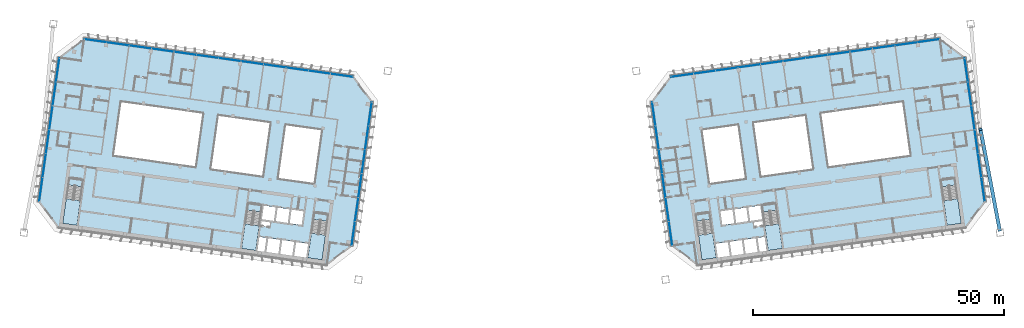
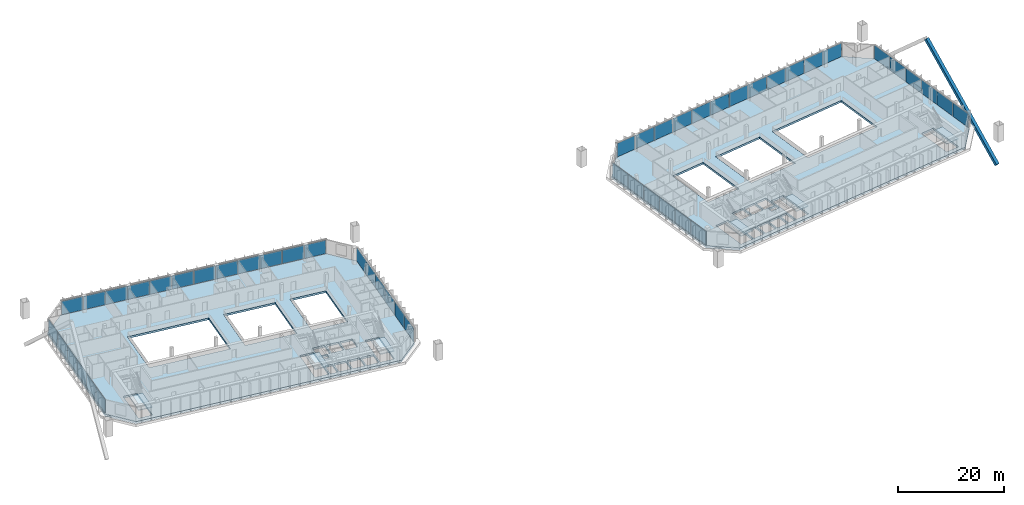
# One storey, part 15 of 28: 48 plates, 8 slabs, 1 member, 12 elements without a shape of their own.
"""IFC4 building model written with IfcOpenShell, lengths in metres."""

from ifc_helpers import new_model, si_unit, direction, frame, origin, origin_2d, place, context, subcontext, project, spatial, polyline, rectangle, hollow_rectangle, outline, extrude, material, layer, layer_set, material_profile, profile_set, type_object, element, aggregate, save


model = new_model("IFC4")

# Units and contexts
model_context = context("Model", 3, precision=1e-05, world=origin(), true_north=direction((0.0, 1.0)))
body_context = subcontext(model_context, "Body", "Model", "MODEL_VIEW")
ifc_project = project(units=[si_unit("LENGTHUNIT", "METRE"), si_unit("AREAUNIT", "SQUARE_METRE"), si_unit("VOLUMEUNIT", "CUBIC_METRE"), si_unit("PLANEANGLEUNIT", "RADIAN"), si_unit("MASSUNIT", "GRAM", prefix="KILO")], contexts=[model_context])

# Site, building, storey
site_placement = place(None, origin())
site = spatial("IfcSite", under=ifc_project, at=site_placement, CompositionType="ELEMENT")
building_placement = place(site_placement, origin())
building = spatial("IfcBuilding", under=site, at=building_placement, Name="Mirante Cascada Hotel Towers", CompositionType="ELEMENT")
storey_placement = place(building_placement, frame((0.0, 0.0, 165.0)))
storey = spatial("IfcBuildingStorey", under=building, at=storey_placement, Name="L38", CompositionType="ELEMENT", Elevation=165.0)

# Member
ifc_material_1 = material(Name="Steel ASTM A572 Gr 50", Category="steel")
ifc_material_profile = material_profile(ifc_material_1, hollow_rectangle(XDim=0.7, YDim=0.7, WallThickness=0.035, at=origin_2d()), Name="Box brace 700x700x35 ASTM A572 Gr 50")
ifc_profile_set = profile_set([ifc_material_profile], Name="Steel ASTM A572 Gr 50")
member_type = type_object("IfcMemberType", Name="Box brace 700x700x35 ASTM A572 Gr 50", PredefinedType="BRACE", material=ifc_profile_set)
member_placement = place(storey_placement, frame((97.2182, -13.2381, -6.0447), z_axis=(-0.1394637, 0.7317072, 0.667199), x_axis=(-0.9823161, -0.1872298, 0.0)))
element("IfcMember", 1, at=member_placement, inside=storey, type_object=member_type, Name="brace T2 L38 1", PredefinedType="BRACE", context=body_context, shape_type="SweptSolid", body=[
    extrude(hollow_rectangle(XDim=0.7, YDim=0.7, WallThickness=0.035, at=origin_2d()), origin(), (0.0, 0.0, 1.0), 27.4043),
])

# Curtain wall, plates
ifc_material_2 = material(Name="Aluminium mullion and transom frame with clear laminated glass", Category="aluminium")
curtain_wall_type_1 = type_object("IfcCurtainWallType", Name="Ribbon curtain wall ECW1", PredefinedType="NOTDEFINED", material=ifc_material_2)
curtain_wall_1_placement = place(storey_placement, origin())
curtain_wall_1 = element("IfcCurtainWall", 2, at=curtain_wall_1_placement, inside=storey, type_object=curtain_wall_type_1, Name="Front ribbon wall T1 L38", PredefinedType="NOTDEFINED")
ifc_material_3 = material(Name="Clear laminated glass", Category="glass")
ifc_layer_1 = layer(ifc_material_3, 0.036)
ifc_layer_set_1 = layer_set([ifc_layer_1], Name="ECW1 glass panel 36")
plate_type_1 = type_object("IfcPlateType", Name="ECW1 glass panel 36", PredefinedType="CURTAIN_PANEL", material=ifc_layer_set_1)
plate_1_placement = place(storey_placement, frame((-82.9983, 24.4837, 0.1), z_axis=(0.0, 0.0, 1.0), x_axis=(0.9902681, -0.1391731, 0.0)))
plate_1 = element("IfcPlate", 3, at=plate_1_placement, type_object=plate_type_1, Name="ECW1 panel 1", PredefinedType="CURTAIN_PANEL", context=body_context, shape_type="SweptSolid", body=[
    extrude(rectangle(XDim=4.409, YDim=0.036, at=origin_2d()), origin(), (0.0, 0.0, 1.0), 3.15),
])
plate_2_placement = place(storey_placement, frame((-78.5517, 23.8587, 0.1), z_axis=(0.0, 0.0, 1.0), x_axis=(0.9902681, -0.1391731, 0.0)))
plate_2 = element("IfcPlate", 4, at=plate_2_placement, type_object=plate_type_1, Name="ECW1 panel 2", PredefinedType="CURTAIN_PANEL", context=body_context, shape_type="SweptSolid", body=[
    extrude(rectangle(XDim=4.4415, YDim=0.036, at=origin_2d()), origin(), (0.0, 0.0, 1.0), 3.15),
])
plate_3_placement = place(storey_placement, frame((-74.089, 23.2316, 0.1), z_axis=(0.0, 0.0, 1.0), x_axis=(0.9902681, -0.1391731, 0.0)))
plate_3 = element("IfcPlate", 5, at=plate_3_placement, type_object=plate_type_1, Name="ECW1 panel 3", PredefinedType="CURTAIN_PANEL", context=body_context, shape_type="SweptSolid", body=[
    extrude(rectangle(XDim=4.4415, YDim=0.036, at=origin_2d()), origin(), (0.0, 0.0, 1.0), 3.15),
])
plate_4_placement = place(storey_placement, frame((-69.6263, 22.6044, 0.1), z_axis=(0.0, 0.0, 1.0), x_axis=(0.9902681, -0.1391731, 0.0)))
plate_4 = element("IfcPlate", 6, at=plate_4_placement, type_object=plate_type_1, Name="ECW1 panel 4", PredefinedType="CURTAIN_PANEL", context=body_context, shape_type="SweptSolid", body=[
    extrude(rectangle(XDim=4.4415, YDim=0.036, at=origin_2d()), origin(), (0.0, 0.0, 1.0), 3.15),
])
plate_5_placement = place(storey_placement, frame((-65.1636, 21.9772, 0.1), z_axis=(0.0, 0.0, 1.0), x_axis=(0.9902681, -0.1391731, 0.0)))
plate_5 = element("IfcPlate", 7, at=plate_5_placement, type_object=plate_type_1, Name="ECW1 panel 5", PredefinedType="CURTAIN_PANEL", context=body_context, shape_type="SweptSolid", body=[
    extrude(rectangle(XDim=4.4415, YDim=0.036, at=origin_2d()), origin(), (0.0, 0.0, 1.0), 3.15),
])
plate_6_placement = place(storey_placement, frame((-60.7009, 21.35, 0.1), z_axis=(0.0, 0.0, 1.0), x_axis=(0.9902681, -0.1391731, 0.0)))
plate_6 = element("IfcPlate", 8, at=plate_6_placement, type_object=plate_type_1, Name="ECW1 panel 6", PredefinedType="CURTAIN_PANEL", context=body_context, shape_type="SweptSolid", body=[
    extrude(rectangle(XDim=4.4415, YDim=0.036, at=origin_2d()), origin(), (0.0, 0.0, 1.0), 3.15),
])
plate_7_placement = place(storey_placement, frame((-56.2383, 20.7228, 0.1), z_axis=(0.0, 0.0, 1.0), x_axis=(0.9902681, -0.1391731, 0.0)))
plate_7 = element("IfcPlate", 9, at=plate_7_placement, type_object=plate_type_1, Name="ECW1 panel 7", PredefinedType="CURTAIN_PANEL", context=body_context, shape_type="SweptSolid", body=[
    extrude(rectangle(XDim=4.4415, YDim=0.036, at=origin_2d()), origin(), (0.0, 0.0, 1.0), 3.15),
])
plate_8_placement = place(storey_placement, frame((-51.7756, 20.0956, 0.1), z_axis=(0.0, 0.0, 1.0), x_axis=(0.9902681, -0.1391731, 0.0)))
plate_8 = element("IfcPlate", 10, at=plate_8_placement, type_object=plate_type_1, Name="ECW1 panel 8", PredefinedType="CURTAIN_PANEL", context=body_context, shape_type="SweptSolid", body=[
    extrude(rectangle(XDim=4.4415, YDim=0.036, at=origin_2d()), origin(), (0.0, 0.0, 1.0), 3.15),
])
plate_9_placement = place(storey_placement, frame((-47.3129, 19.4684, 0.1), z_axis=(0.0, 0.0, 1.0), x_axis=(0.9902681, -0.1391731, 0.0)))
plate_9 = element("IfcPlate", 11, at=plate_9_placement, type_object=plate_type_1, Name="ECW1 panel 9", PredefinedType="CURTAIN_PANEL", context=body_context, shape_type="SweptSolid", body=[
    extrude(rectangle(XDim=4.4415, YDim=0.036, at=origin_2d()), origin(), (0.0, 0.0, 1.0), 3.15),
])
plate_10_placement = place(storey_placement, frame((-42.8502, 18.8412, 0.1), z_axis=(0.0, 0.0, 1.0), x_axis=(0.9902681, -0.1391731, 0.0)))
plate_10 = element("IfcPlate", 12, at=plate_10_placement, type_object=plate_type_1, Name="ECW1 panel 10", PredefinedType="CURTAIN_PANEL", context=body_context, shape_type="SweptSolid", body=[
    extrude(rectangle(XDim=4.4415, YDim=0.036, at=origin_2d()), origin(), (0.0, 0.0, 1.0), 3.15),
])
plate_11_placement = place(storey_placement, frame((-38.3875, 18.214, 0.1), z_axis=(0.0, 0.0, 1.0), x_axis=(0.9902681, -0.1391731, 0.0)))
plate_11 = element("IfcPlate", 13, at=plate_11_placement, type_object=plate_type_1, Name="ECW1 panel 11", PredefinedType="CURTAIN_PANEL", context=body_context, shape_type="SweptSolid", body=[
    extrude(rectangle(XDim=4.4415, YDim=0.036, at=origin_2d()), origin(), (0.0, 0.0, 1.0), 3.15),
])
plate_12_placement = place(storey_placement, frame((-33.9409, 17.5891, 0.1), z_axis=(0.0, 0.0, 1.0), x_axis=(0.9902681, -0.1391731, 0.0)))
plate_12 = element("IfcPlate", 14, at=plate_12_placement, type_object=plate_type_1, Name="ECW1 panel 12", PredefinedType="CURTAIN_PANEL", context=body_context, shape_type="SweptSolid", body=[
    extrude(rectangle(XDim=4.409, YDim=0.036, at=origin_2d()), origin(), (0.0, 0.0, 1.0), 3.15),
])
aggregate(curtain_wall_1, [plate_1, plate_2, plate_3, plate_4, plate_5, plate_6, plate_7, plate_8, plate_9, plate_10, plate_11, plate_12])

curtain_wall_2_placement = place(storey_placement, origin())
curtain_wall_2 = element("IfcCurtainWall", 15, at=curtain_wall_2_placement, inside=storey, type_object=curtain_wall_type_1, Name="Front ribbon wall T2 L38", PredefinedType="NOTDEFINED")
plate_13_placement = place(storey_placement, frame((82.9983, 24.4837, 0.1), z_axis=(0.0, 0.0, 1.0), x_axis=(-0.9902681, -0.1391731, 0.0)))
plate_13 = element("IfcPlate", 16, at=plate_13_placement, type_object=plate_type_1, Name="ECW1 panel 1", PredefinedType="CURTAIN_PANEL", context=body_context, shape_type="SweptSolid", body=[
    extrude(rectangle(XDim=4.409, YDim=0.036, at=origin_2d()), origin(), (0.0, 0.0, 1.0), 3.15),
])
plate_14_placement = place(storey_placement, frame((78.5517, 23.8587, 0.1), z_axis=(0.0, 0.0, 1.0), x_axis=(-0.9902681, -0.1391731, 0.0)))
plate_14 = element("IfcPlate", 17, at=plate_14_placement, type_object=plate_type_1, Name="ECW1 panel 2", PredefinedType="CURTAIN_PANEL", context=body_context, shape_type="SweptSolid", body=[
    extrude(rectangle(XDim=4.4415, YDim=0.036, at=origin_2d()), origin(), (0.0, 0.0, 1.0), 3.15),
])
plate_15_placement = place(storey_placement, frame((74.089, 23.2316, 0.1), z_axis=(0.0, 0.0, 1.0), x_axis=(-0.9902681, -0.1391731, 0.0)))
plate_15 = element("IfcPlate", 18, at=plate_15_placement, type_object=plate_type_1, Name="ECW1 panel 3", PredefinedType="CURTAIN_PANEL", context=body_context, shape_type="SweptSolid", body=[
    extrude(rectangle(XDim=4.4415, YDim=0.036, at=origin_2d()), origin(), (0.0, 0.0, 1.0), 3.15),
])
plate_16_placement = place(storey_placement, frame((69.6263, 22.6044, 0.1), z_axis=(0.0, 0.0, 1.0), x_axis=(-0.9902681, -0.1391731, 0.0)))
plate_16 = element("IfcPlate", 19, at=plate_16_placement, type_object=plate_type_1, Name="ECW1 panel 4", PredefinedType="CURTAIN_PANEL", context=body_context, shape_type="SweptSolid", body=[
    extrude(rectangle(XDim=4.4415, YDim=0.036, at=origin_2d()), origin(), (0.0, 0.0, 1.0), 3.15),
])
plate_17_placement = place(storey_placement, frame((65.1636, 21.9772, 0.1), z_axis=(0.0, 0.0, 1.0), x_axis=(-0.9902681, -0.1391731, 0.0)))
plate_17 = element("IfcPlate", 20, at=plate_17_placement, type_object=plate_type_1, Name="ECW1 panel 5", PredefinedType="CURTAIN_PANEL", context=body_context, shape_type="SweptSolid", body=[
    extrude(rectangle(XDim=4.4415, YDim=0.036, at=origin_2d()), origin(), (0.0, 0.0, 1.0), 3.15),
])
plate_18_placement = place(storey_placement, frame((60.7009, 21.35, 0.1), z_axis=(0.0, 0.0, 1.0), x_axis=(-0.9902681, -0.1391731, 0.0)))
plate_18 = element("IfcPlate", 21, at=plate_18_placement, type_object=plate_type_1, Name="ECW1 panel 6", PredefinedType="CURTAIN_PANEL", context=body_context, shape_type="SweptSolid", body=[
    extrude(rectangle(XDim=4.4415, YDim=0.036, at=origin_2d()), origin(), (0.0, 0.0, 1.0), 3.15),
])
plate_19_placement = place(storey_placement, frame((56.2383, 20.7228, 0.1), z_axis=(0.0, 0.0, 1.0), x_axis=(-0.9902681, -0.1391731, 0.0)))
plate_19 = element("IfcPlate", 22, at=plate_19_placement, type_object=plate_type_1, Name="ECW1 panel 7", PredefinedType="CURTAIN_PANEL", context=body_context, shape_type="SweptSolid", body=[
    extrude(rectangle(XDim=4.4415, YDim=0.036, at=origin_2d()), origin(), (0.0, 0.0, 1.0), 3.15),
])
plate_20_placement = place(storey_placement, frame((51.7756, 20.0956, 0.1), z_axis=(0.0, 0.0, 1.0), x_axis=(-0.9902681, -0.1391731, 0.0)))
plate_20 = element("IfcPlate", 23, at=plate_20_placement, type_object=plate_type_1, Name="ECW1 panel 8", PredefinedType="CURTAIN_PANEL", context=body_context, shape_type="SweptSolid", body=[
    extrude(rectangle(XDim=4.4415, YDim=0.036, at=origin_2d()), origin(), (0.0, 0.0, 1.0), 3.15),
])
plate_21_placement = place(storey_placement, frame((47.3129, 19.4684, 0.1), z_axis=(0.0, 0.0, 1.0), x_axis=(-0.9902681, -0.1391731, 0.0)))
plate_21 = element("IfcPlate", 24, at=plate_21_placement, type_object=plate_type_1, Name="ECW1 panel 9", PredefinedType="CURTAIN_PANEL", context=body_context, shape_type="SweptSolid", body=[
    extrude(rectangle(XDim=4.4415, YDim=0.036, at=origin_2d()), origin(), (0.0, 0.0, 1.0), 3.15),
])
plate_22_placement = place(storey_placement, frame((42.8502, 18.8412, 0.1), z_axis=(0.0, 0.0, 1.0), x_axis=(-0.9902681, -0.1391731, 0.0)))
plate_22 = element("IfcPlate", 25, at=plate_22_placement, type_object=plate_type_1, Name="ECW1 panel 10", PredefinedType="CURTAIN_PANEL", context=body_context, shape_type="SweptSolid", body=[
    extrude(rectangle(XDim=4.4415, YDim=0.036, at=origin_2d()), origin(), (0.0, 0.0, 1.0), 3.15),
])
plate_23_placement = place(storey_placement, frame((38.3875, 18.214, 0.1), z_axis=(0.0, 0.0, 1.0), x_axis=(-0.9902681, -0.1391731, 0.0)))
plate_23 = element("IfcPlate", 26, at=plate_23_placement, type_object=plate_type_1, Name="ECW1 panel 11", PredefinedType="CURTAIN_PANEL", context=body_context, shape_type="SweptSolid", body=[
    extrude(rectangle(XDim=4.4415, YDim=0.036, at=origin_2d()), origin(), (0.0, 0.0, 1.0), 3.15),
])
plate_24_placement = place(storey_placement, frame((33.9409, 17.5891, 0.1), z_axis=(0.0, 0.0, 1.0), x_axis=(-0.9902681, -0.1391731, 0.0)))
plate_24 = element("IfcPlate", 27, at=plate_24_placement, type_object=plate_type_1, Name="ECW1 panel 12", PredefinedType="CURTAIN_PANEL", context=body_context, shape_type="SweptSolid", body=[
    extrude(rectangle(XDim=4.409, YDim=0.036, at=origin_2d()), origin(), (0.0, 0.0, 1.0), 3.15),
])
aggregate(curtain_wall_2, [plate_13, plate_14, plate_15, plate_16, plate_17, plate_18, plate_19, plate_20, plate_21, plate_22, plate_23, plate_24])

ifc_material_4 = material(Name="Aluminium mullion and transom frame with clear laminated glass", Category="aluminium")
curtain_wall_type_2 = type_object("IfcCurtainWallType", Name="End ribbon curtain wall ECW2", PredefinedType="NOTDEFINED", material=ifc_material_4)
curtain_wall_3_placement = place(storey_placement, origin())
curtain_wall_3 = element("IfcCurtainWall", 28, at=curtain_wall_3_placement, inside=storey, type_object=curtain_wall_type_2, Name="Inner end wall T1 L38", PredefinedType="NOTDEFINED")
ifc_material_5 = material(Name="Clear laminated glass", Category="glass")
ifc_layer_2 = layer(ifc_material_5, 0.034)
ifc_layer_set_2 = layer_set([ifc_layer_2], Name="ECW2 glass panel 34")
plate_type_2 = type_object("IfcPlateType", Name="ECW2 glass panel 34", PredefinedType="CURTAIN_PANEL", material=ifc_layer_set_2)
plate_25_placement = place(storey_placement, frame((-28.2755, 9.891, 0.1), z_axis=(0.0, 0.0, 1.0), x_axis=(-0.1391731, -0.9902681, 0.0)))
plate_25 = element("IfcPlate", 29, at=plate_25_placement, type_object=plate_type_2, Name="ECW2 panel 1", PredefinedType="CURTAIN_PANEL", context=body_context, shape_type="SweptSolid", body=[
    extrude(rectangle(XDim=4.7151, YDim=0.034, at=origin_2d()), origin(), (0.0, 0.0, 1.0), 3.15),
])
plate_26_placement = place(storey_placement, frame((-28.943, 5.1413, 0.1), z_axis=(0.0, 0.0, 1.0), x_axis=(-0.1391731, -0.9902681, 0.0)))
plate_26 = element("IfcPlate", 30, at=plate_26_placement, type_object=plate_type_2, Name="ECW2 panel 2", PredefinedType="CURTAIN_PANEL", context=body_context, shape_type="SweptSolid", body=[
    extrude(rectangle(XDim=4.7476, YDim=0.034, at=origin_2d()), origin(), (0.0, 0.0, 1.0), 3.15),
])
plate_27_placement = place(storey_placement, frame((-29.6128, 0.3755, 0.1), z_axis=(0.0, 0.0, 1.0), x_axis=(-0.1391731, -0.9902681, 0.0)))
plate_27 = element("IfcPlate", 31, at=plate_27_placement, type_object=plate_type_2, Name="ECW2 panel 3", PredefinedType="CURTAIN_PANEL", context=body_context, shape_type="SweptSolid", body=[
    extrude(rectangle(XDim=4.7476, YDim=0.034, at=origin_2d()), origin(), (0.0, 0.0, 1.0), 3.15),
])
plate_28_placement = place(storey_placement, frame((-30.2826, -4.3902, 0.1), z_axis=(0.0, 0.0, 1.0), x_axis=(-0.1391731, -0.9902681, 0.0)))
plate_28 = element("IfcPlate", 32, at=plate_28_placement, type_object=plate_type_2, Name="ECW2 panel 4", PredefinedType="CURTAIN_PANEL", context=body_context, shape_type="SweptSolid", body=[
    extrude(rectangle(XDim=4.7476, YDim=0.034, at=origin_2d()), origin(), (0.0, 0.0, 1.0), 3.15),
])
plate_29_placement = place(storey_placement, frame((-30.9524, -9.156, 0.1), z_axis=(0.0, 0.0, 1.0), x_axis=(-0.1391731, -0.9902681, 0.0)))
plate_29 = element("IfcPlate", 33, at=plate_29_placement, type_object=plate_type_2, Name="ECW2 panel 5", PredefinedType="CURTAIN_PANEL", context=body_context, shape_type="SweptSolid", body=[
    extrude(rectangle(XDim=4.7476, YDim=0.034, at=origin_2d()), origin(), (0.0, 0.0, 1.0), 3.15),
])
plate_30_placement = place(storey_placement, frame((-31.6199, -13.9057, 0.1), z_axis=(0.0, 0.0, 1.0), x_axis=(-0.1391731, -0.9902681, 0.0)))
plate_30 = element("IfcPlate", 34, at=plate_30_placement, type_object=plate_type_2, Name="ECW2 panel 6", PredefinedType="CURTAIN_PANEL", context=body_context, shape_type="SweptSolid", body=[
    extrude(rectangle(XDim=4.7151, YDim=0.034, at=origin_2d()), origin(), (0.0, 0.0, 1.0), 3.15),
])
aggregate(curtain_wall_3, [plate_25, plate_26, plate_27, plate_28, plate_29, plate_30])

curtain_wall_4_placement = place(storey_placement, origin())
curtain_wall_4 = element("IfcCurtainWall", 35, at=curtain_wall_4_placement, inside=storey, type_object=curtain_wall_type_2, Name="Outer end wall T1 L38", PredefinedType="NOTDEFINED")
plate_31_placement = place(storey_placement, frame((-93.243, -0.4017, 0.1), z_axis=(0.0, 0.0, 1.0), x_axis=(0.1391731, 0.9902681, 0.0)))
plate_31 = element("IfcPlate", 36, at=plate_31_placement, type_object=plate_type_2, Name="ECW2 panel 2", PredefinedType="CURTAIN_PANEL", context=body_context, shape_type="SweptSolid", body=[
    extrude(rectangle(XDim=4.7476, YDim=0.034, at=origin_2d()), origin(), (0.0, 0.0, 1.0), 3.15),
])
plate_32_placement = place(storey_placement, frame((-92.5732, 4.3641, 0.1), z_axis=(0.0, 0.0, 1.0), x_axis=(0.1391731, 0.9902681, 0.0)))
plate_32 = element("IfcPlate", 37, at=plate_32_placement, type_object=plate_type_2, Name="ECW2 panel 3", PredefinedType="CURTAIN_PANEL", context=body_context, shape_type="SweptSolid", body=[
    extrude(rectangle(XDim=4.7476, YDim=0.034, at=origin_2d()), origin(), (0.0, 0.0, 1.0), 3.15),
])
plate_33_placement = place(storey_placement, frame((-91.9035, 9.1299, 0.1), z_axis=(0.0, 0.0, 1.0), x_axis=(0.1391731, 0.9902681, 0.0)))
plate_33 = element("IfcPlate", 38, at=plate_33_placement, type_object=plate_type_2, Name="ECW2 panel 4", PredefinedType="CURTAIN_PANEL", context=body_context, shape_type="SweptSolid", body=[
    extrude(rectangle(XDim=4.7476, YDim=0.034, at=origin_2d()), origin(), (0.0, 0.0, 1.0), 3.15),
])
plate_34_placement = place(storey_placement, frame((-91.2337, 13.8957, 0.1), z_axis=(0.0, 0.0, 1.0), x_axis=(0.1391731, 0.9902681, 0.0)))
plate_34 = element("IfcPlate", 39, at=plate_34_placement, type_object=plate_type_2, Name="ECW2 panel 5", PredefinedType="CURTAIN_PANEL", context=body_context, shape_type="SweptSolid", body=[
    extrude(rectangle(XDim=4.7476, YDim=0.034, at=origin_2d()), origin(), (0.0, 0.0, 1.0), 3.15),
])

curtain_wall_5_placement = place(storey_placement, origin())
curtain_wall_5 = element("IfcCurtainWall", 40, at=curtain_wall_5_placement, inside=storey, type_object=curtain_wall_type_2, Name="Inner end wall T2 L38", PredefinedType="NOTDEFINED")
plate_35_placement = place(storey_placement, frame((28.2755, 9.891, 0.1), z_axis=(0.0, 0.0, 1.0), x_axis=(0.1391731, -0.9902681, 0.0)))
plate_35 = element("IfcPlate", 41, at=plate_35_placement, type_object=plate_type_2, Name="ECW2 panel 1", PredefinedType="CURTAIN_PANEL", context=body_context, shape_type="SweptSolid", body=[
    extrude(rectangle(XDim=4.7151, YDim=0.034, at=origin_2d()), origin(), (0.0, 0.0, 1.0), 3.15),
])
plate_36_placement = place(storey_placement, frame((28.943, 5.1413, 0.1), z_axis=(0.0, 0.0, 1.0), x_axis=(0.1391731, -0.9902681, 0.0)))
plate_36 = element("IfcPlate", 42, at=plate_36_placement, type_object=plate_type_2, Name="ECW2 panel 2", PredefinedType="CURTAIN_PANEL", context=body_context, shape_type="SweptSolid", body=[
    extrude(rectangle(XDim=4.7476, YDim=0.034, at=origin_2d()), origin(), (0.0, 0.0, 1.0), 3.15),
])
plate_37_placement = place(storey_placement, frame((29.6128, 0.3755, 0.1), z_axis=(0.0, 0.0, 1.0), x_axis=(0.1391731, -0.9902681, 0.0)))
plate_37 = element("IfcPlate", 43, at=plate_37_placement, type_object=plate_type_2, Name="ECW2 panel 3", PredefinedType="CURTAIN_PANEL", context=body_context, shape_type="SweptSolid", body=[
    extrude(rectangle(XDim=4.7476, YDim=0.034, at=origin_2d()), origin(), (0.0, 0.0, 1.0), 3.15),
])
plate_38_placement = place(storey_placement, frame((30.2826, -4.3902, 0.1), z_axis=(0.0, 0.0, 1.0), x_axis=(0.1391731, -0.9902681, 0.0)))
plate_38 = element("IfcPlate", 44, at=plate_38_placement, type_object=plate_type_2, Name="ECW2 panel 4", PredefinedType="CURTAIN_PANEL", context=body_context, shape_type="SweptSolid", body=[
    extrude(rectangle(XDim=4.7476, YDim=0.034, at=origin_2d()), origin(), (0.0, 0.0, 1.0), 3.15),
])
plate_39_placement = place(storey_placement, frame((30.9524, -9.156, 0.1), z_axis=(0.0, 0.0, 1.0), x_axis=(0.1391731, -0.9902681, 0.0)))
plate_39 = element("IfcPlate", 45, at=plate_39_placement, type_object=plate_type_2, Name="ECW2 panel 5", PredefinedType="CURTAIN_PANEL", context=body_context, shape_type="SweptSolid", body=[
    extrude(rectangle(XDim=4.7476, YDim=0.034, at=origin_2d()), origin(), (0.0, 0.0, 1.0), 3.15),
])
plate_40_placement = place(storey_placement, frame((31.6199, -13.9057, 0.1), z_axis=(0.0, 0.0, 1.0), x_axis=(0.1391731, -0.9902681, 0.0)))
plate_40 = element("IfcPlate", 46, at=plate_40_placement, type_object=plate_type_2, Name="ECW2 panel 6", PredefinedType="CURTAIN_PANEL", context=body_context, shape_type="SweptSolid", body=[
    extrude(rectangle(XDim=4.7151, YDim=0.034, at=origin_2d()), origin(), (0.0, 0.0, 1.0), 3.15),
])
aggregate(curtain_wall_5, [plate_35, plate_36, plate_37, plate_38, plate_39, plate_40])

curtain_wall_6_placement = place(storey_placement, origin())
curtain_wall_6 = element("IfcCurtainWall", 47, at=curtain_wall_6_placement, inside=storey, type_object=curtain_wall_type_2, Name="Outer end wall T2 L38", PredefinedType="NOTDEFINED")
plate_41_placement = place(storey_placement, frame((93.243, -0.4017, 0.1), z_axis=(0.0, 0.0, 1.0), x_axis=(-0.1391731, 0.9902681, 0.0)))
plate_41 = element("IfcPlate", 48, at=plate_41_placement, type_object=plate_type_2, Name="ECW2 panel 2", PredefinedType="CURTAIN_PANEL", context=body_context, shape_type="SweptSolid", body=[
    extrude(rectangle(XDim=4.7476, YDim=0.034, at=origin_2d()), origin(), (0.0, 0.0, 1.0), 3.15),
])
plate_42_placement = place(storey_placement, frame((92.5732, 4.3641, 0.1), z_axis=(0.0, 0.0, 1.0), x_axis=(-0.1391731, 0.9902681, 0.0)))
plate_42 = element("IfcPlate", 49, at=plate_42_placement, type_object=plate_type_2, Name="ECW2 panel 3", PredefinedType="CURTAIN_PANEL", context=body_context, shape_type="SweptSolid", body=[
    extrude(rectangle(XDim=4.7476, YDim=0.034, at=origin_2d()), origin(), (0.0, 0.0, 1.0), 3.15),
])
plate_43_placement = place(storey_placement, frame((91.9035, 9.1299, 0.1), z_axis=(0.0, 0.0, 1.0), x_axis=(-0.1391731, 0.9902681, 0.0)))
plate_43 = element("IfcPlate", 50, at=plate_43_placement, type_object=plate_type_2, Name="ECW2 panel 4", PredefinedType="CURTAIN_PANEL", context=body_context, shape_type="SweptSolid", body=[
    extrude(rectangle(XDim=4.7476, YDim=0.034, at=origin_2d()), origin(), (0.0, 0.0, 1.0), 3.15),
])
plate_44_placement = place(storey_placement, frame((91.2337, 13.8957, 0.1), z_axis=(0.0, 0.0, 1.0), x_axis=(-0.1391731, 0.9902681, 0.0)))
plate_44 = element("IfcPlate", 51, at=plate_44_placement, type_object=plate_type_2, Name="ECW2 panel 5", PredefinedType="CURTAIN_PANEL", context=body_context, shape_type="SweptSolid", body=[
    extrude(rectangle(XDim=4.7476, YDim=0.034, at=origin_2d()), origin(), (0.0, 0.0, 1.0), 3.15),
])

# Plate
ifc_material_6 = material(Name="Insulated aluminium spandrel panel", Category="aluminium")
ifc_layer_3 = layer(ifc_material_6, 0.034)
ifc_layer_set_3 = layer_set([ifc_layer_3], Name="ECW2 spandrel panel 34")
plate_type_3 = type_object("IfcPlateType", Name="ECW2 spandrel panel 34", PredefinedType="CURTAIN_PANEL", material=ifc_layer_set_3)
plate_45_placement = place(storey_placement, frame((-93.9106, -5.1513, 0.1), z_axis=(0.0, 0.0, 1.0), x_axis=(0.1391731, 0.9902681, 0.0)))
plate_45 = element("IfcPlate", 52, at=plate_45_placement, type_object=plate_type_3, Name="ECW2 panel 1", PredefinedType="CURTAIN_PANEL", context=body_context, shape_type="SweptSolid", body=[
    extrude(rectangle(XDim=4.7151, YDim=0.034, at=origin_2d()), origin(), (0.0, 0.0, 1.0), 3.15),
])

plate_46_placement = place(storey_placement, frame((-90.5661, 18.6454, 0.1), z_axis=(0.0, 0.0, 1.0), x_axis=(0.1391731, 0.9902681, 0.0)))
plate_46 = element("IfcPlate", 53, at=plate_46_placement, type_object=plate_type_3, Name="ECW2 panel 6", PredefinedType="CURTAIN_PANEL", context=body_context, shape_type="SweptSolid", body=[
    extrude(rectangle(XDim=4.7151, YDim=0.034, at=origin_2d()), origin(), (0.0, 0.0, 1.0), 3.15),
])

aggregate(curtain_wall_4, [plate_45, plate_31, plate_32, plate_33, plate_34, plate_46])

plate_47_placement = place(storey_placement, frame((93.9106, -5.1513, 0.1), z_axis=(0.0, 0.0, 1.0), x_axis=(-0.1391731, 0.9902681, 0.0)))
plate_47 = element("IfcPlate", 54, at=plate_47_placement, type_object=plate_type_3, Name="ECW2 panel 1", PredefinedType="CURTAIN_PANEL", context=body_context, shape_type="SweptSolid", body=[
    extrude(rectangle(XDim=4.7151, YDim=0.034, at=origin_2d()), origin(), (0.0, 0.0, 1.0), 3.15),
])

plate_48_placement = place(storey_placement, frame((90.5661, 18.6454, 0.1), z_axis=(0.0, 0.0, 1.0), x_axis=(-0.1391731, 0.9902681, 0.0)))
plate_48 = element("IfcPlate", 55, at=plate_48_placement, type_object=plate_type_3, Name="ECW2 panel 6", PredefinedType="CURTAIN_PANEL", context=body_context, shape_type="SweptSolid", body=[
    extrude(rectangle(XDim=4.7151, YDim=0.034, at=origin_2d()), origin(), (0.0, 0.0, 1.0), 3.15),
])

aggregate(curtain_wall_6, [plate_47, plate_41, plate_42, plate_43, plate_44, plate_48])

# Stair, slab
ifc_material_7 = material(Name="Concrete C35/45", Category="concrete")
stair_type = type_object("IfcStairType", Name="Exit stair half-turn 1350 concrete C35/45", PredefinedType="HALF_TURN_STAIR", material=ifc_material_7)
stair_1_placement = place(storey_placement, origin())
stair_1 = element("IfcStair", 56, at=stair_1_placement, inside=storey, type_object=stair_type, Name="L38 Exit stair A", PredefinedType="HALF_TURN_STAIR")
ifc_material_8 = material(Name="Concrete C35/45", Category="concrete")
ifc_layer_4 = layer(ifc_material_8, 0.2)
ifc_layer_set_4 = layer_set([ifc_layer_4], Name="Exit stair landing 200 concrete C35/45")
slab_type_1 = type_object("IfcSlabType", Name="Exit stair landing 200 concrete C35/45", PredefinedType="LANDING", material=ifc_layer_set_4)
slab_1_placement = place(storey_placement, frame((0.0, 0.0, 1.7)))
slab_1 = element("IfcSlab", 57, at=slab_1_placement, type_object=slab_type_1, Name="ST1-A landing 1", PredefinedType="LANDING", context=body_context, shape_type="SweptSolid", body=[
    extrude(outline(polyline([(-39.9987, -13.8659), (-40.6887, -18.7757), (-37.8665, -19.1723), (-37.1765, -14.2626), (-39.9987, -13.8659)])), origin(), (0.0, 0.0, 1.0), 0.2),
])
aggregate(stair_1, [slab_1])

stair_2_placement = place(storey_placement, origin())
stair_2 = element("IfcStair", 58, at=stair_2_placement, inside=storey, type_object=stair_type, Name="L38 Exit stair B", PredefinedType="HALF_TURN_STAIR")
slab_2_placement = place(storey_placement, frame((0.0, 0.0, 1.7)))
slab_2 = element("IfcSlab", 59, at=slab_2_placement, type_object=slab_type_1, Name="ST1-B landing 1", PredefinedType="LANDING", context=body_context, shape_type="SweptSolid", body=[
    extrude(outline(polyline([(-53.2188, -12.008), (-53.9088, -16.9177), (-51.0866, -17.3144), (-50.3965, -12.4046), (-53.2188, -12.008)])), origin(), (0.0, 0.0, 1.0), 0.2),
])
aggregate(stair_2, [slab_2])

stair_3_placement = place(storey_placement, origin())
stair_3 = element("IfcStair", 60, at=stair_3_placement, inside=storey, type_object=stair_type, Name="L38 Exit stair C", PredefinedType="HALF_TURN_STAIR")
slab_3_placement = place(storey_placement, frame((0.0, 0.0, 1.7)))
slab_3 = element("IfcSlab", 61, at=slab_3_placement, type_object=slab_type_1, Name="ST1-C landing 1", PredefinedType="LANDING", context=body_context, shape_type="SweptSolid", body=[
    extrude(outline(polyline([(-88.8685, -6.9977), (-89.5585, -11.9075), (-86.7362, -12.3041), (-86.0462, -7.3944), (-88.8685, -6.9977)])), origin(), (0.0, 0.0, 1.0), 0.2),
])
aggregate(stair_3, [slab_3])

stair_4_placement = place(storey_placement, origin())
stair_4 = element("IfcStair", 62, at=stair_4_placement, inside=storey, type_object=stair_type, Name="L38 Exit stair A", PredefinedType="HALF_TURN_STAIR")
slab_4_placement = place(storey_placement, frame((0.0, 0.0, 1.7)))
slab_4 = element("IfcSlab", 63, at=slab_4_placement, type_object=slab_type_1, Name="ST2-A landing 1", PredefinedType="LANDING", context=body_context, shape_type="SweptSolid", body=[
    extrude(outline(polyline([(37.1765, -14.2626), (37.8665, -19.1723), (40.6887, -18.7757), (39.9987, -13.8659), (37.1765, -14.2626)])), origin(), (0.0, 0.0, 1.0), 0.2),
])
aggregate(stair_4, [slab_4])

stair_5_placement = place(storey_placement, origin())
stair_5 = element("IfcStair", 64, at=stair_5_placement, inside=storey, type_object=stair_type, Name="L38 Exit stair B", PredefinedType="HALF_TURN_STAIR")
slab_5_placement = place(storey_placement, frame((0.0, 0.0, 1.7)))
slab_5 = element("IfcSlab", 65, at=slab_5_placement, type_object=slab_type_1, Name="ST2-B landing 1", PredefinedType="LANDING", context=body_context, shape_type="SweptSolid", body=[
    extrude(outline(polyline([(50.3965, -12.4046), (51.0866, -17.3144), (53.9088, -16.9177), (53.2188, -12.008), (50.3965, -12.4046)])), origin(), (0.0, 0.0, 1.0), 0.2),
])
aggregate(stair_5, [slab_5])

stair_6_placement = place(storey_placement, origin())
stair_6 = element("IfcStair", 66, at=stair_6_placement, inside=storey, type_object=stair_type, Name="L38 Exit stair C", PredefinedType="HALF_TURN_STAIR")
slab_6_placement = place(storey_placement, frame((0.0, 0.0, 1.7)))
slab_6 = element("IfcSlab", 67, at=slab_6_placement, type_object=slab_type_1, Name="ST2-C landing 1", PredefinedType="LANDING", context=body_context, shape_type="SweptSolid", body=[
    extrude(outline(polyline([(86.0462, -7.3944), (86.7362, -12.3041), (89.5585, -11.9075), (88.8685, -6.9977), (86.0462, -7.3944)])), origin(), (0.0, 0.0, 1.0), 0.2),
])
aggregate(stair_6, [slab_6])

# Slabs
ifc_material_9 = material(Name="Concrete C40/50", Category="concrete")
ifc_layer_5 = layer(ifc_material_9, 0.45)
ifc_layer_set_5 = layer_set([ifc_layer_5], Name="Post-tensioned flat plate 450 Concrete C40/50")
slab_type_2 = type_object("IfcSlabType", Name="Post-tensioned flat plate 450 Concrete C40/50", PredefinedType="FLOOR", material=ifc_layer_set_5)
slab_7_placement = place(storey_placement, frame((0.0, 0.0, -0.45)))
element("IfcSlab", 68, at=slab_7_placement, inside=storey, type_object=slab_type_2, Name="Floor T1 L38", PredefinedType="FLOOR", context=body_context, shape_type="SweptSolid", body=[
    extrude(outline(polyline([(-31.8171, -16.3871), (-27.7811, 12.3307), (-31.6111, 17.4131), (-85.2864, 24.9567), (-90.3689, 21.1268), (-94.4049, -7.591), (-90.575, -12.6735), (-36.8996, -20.217), (-31.8171, -16.3871)]), holes=[polyline([(-40.5961, -15.9612), (-40.9858, -18.7339), (-43.4615, -18.386), (-43.0718, -15.6132), (-40.5961, -15.9612)]), polyline([(-45.8446, -15.2236), (-43.3689, -15.5715), (-43.7586, -18.3442), (-46.2342, -17.9963), (-45.8446, -15.2236)]), polyline([(-48.6173, -14.8339), (-46.1416, -15.1818), (-46.5313, -17.9546), (-49.007, -17.6066), (-48.6173, -14.8339)]), polyline([(-37.8665, -19.1723), (-40.6887, -18.7757), (-39.611, -11.107), (-36.7887, -11.5037), (-37.8665, -19.1723)]), polyline([(-43.9775, -9.124), (-41.5018, -9.472), (-41.8915, -12.2447), (-44.3672, -11.8968), (-43.9775, -9.124)]), polyline([(-46.7503, -8.7344), (-44.2746, -9.0823), (-44.6643, -11.855), (-47.1399, -11.5071), (-46.7503, -8.7344)]), polyline([(-48.9144, -14.7921), (-49.3041, -17.5649), (-50.7895, -17.3561), (-50.3998, -14.5834), (-48.9144, -14.7921)]), polyline([(-50.0088, -9.6457), (-51.0866, -17.3144), (-53.9088, -16.9177), (-52.8311, -9.2491), (-50.0088, -9.6457)]), polyline([(-85.6585, -4.6355), (-86.7362, -12.3041), (-89.5585, -11.9075), (-88.4807, -4.2388), (-85.6585, -4.6355)]), polyline([(-48.1472, -11.6685), (-48.2829, -12.634), (-50.0901, -12.38), (-49.9544, -11.4145), (-48.1472, -11.6685)]), polyline([(-49.523, -8.3447), (-47.0473, -8.6926), (-47.437, -11.4654), (-49.9127, -11.1174), (-49.523, -8.3447)]), polyline([(-61.5217, 10.1048), (-61.5217, 10.1048), (-63.0526, -0.7882), (-63.0526, -0.7882), (-79.4915, 1.5222), (-77.9606, 12.4151), (-61.5217, 10.1048)]), polyline([(-48.1029, 8.2189), (-49.6338, -2.6741), (-49.6338, -2.6741), (-60.0798, -1.206), (-60.0798, -1.206), (-58.5489, 9.687), (-48.1029, 8.2189)]), polyline([(-37.8547, 6.7786), (-39.3856, -4.1144), (-46.661, -3.0919), (-46.661, -3.0919), (-45.1301, 7.8011), (-37.8547, 6.7786)])]), origin(), (0.0, 0.0, 1.0), 0.45),
])
slab_8_placement = place(storey_placement, frame((0.0, 0.0, -0.45)))
element("IfcSlab", 69, at=slab_8_placement, inside=storey, type_object=slab_type_2, Name="Floor T2 L38", PredefinedType="FLOOR", context=body_context, shape_type="SweptSolid", body=[
    extrude(outline(polyline([(31.8171, -16.3871), (27.7811, 12.3307), (31.6111, 17.4131), (85.2864, 24.9567), (90.3689, 21.1268), (94.4049, -7.591), (90.575, -12.6735), (36.8996, -20.217), (31.8171, -16.3871)]), holes=[polyline([(40.5961, -15.9612), (40.9858, -18.7339), (43.4615, -18.386), (43.0718, -15.6132), (40.5961, -15.9612)]), polyline([(45.8446, -15.2236), (43.3689, -15.5715), (43.7586, -18.3442), (46.2342, -17.9963), (45.8446, -15.2236)]), polyline([(48.6173, -14.8339), (46.1416, -15.1818), (46.5313, -17.9546), (49.007, -17.6066), (48.6173, -14.8339)]), polyline([(40.6887, -18.7757), (39.611, -11.107), (36.7887, -11.5037), (37.8665, -19.1723), (40.6887, -18.7757)]), polyline([(43.9775, -9.124), (41.5018, -9.472), (41.8915, -12.2447), (44.3672, -11.8968), (43.9775, -9.124)]), polyline([(46.7503, -8.7344), (44.2746, -9.0823), (44.6643, -11.855), (47.1399, -11.5071), (46.7503, -8.7344)]), polyline([(48.9144, -14.7921), (49.3041, -17.5649), (50.7895, -17.3561), (50.3998, -14.5834), (48.9144, -14.7921)]), polyline([(51.0866, -17.3144), (53.9088, -16.9177), (52.8311, -9.2491), (50.0088, -9.6457), (51.0866, -17.3144)]), polyline([(86.7362, -12.3041), (89.5585, -11.9075), (88.4807, -4.2388), (85.6585, -4.6355), (86.7362, -12.3041)]), polyline([(48.1472, -11.6685), (48.2829, -12.634), (50.0901, -12.38), (49.9544, -11.4145), (48.1472, -11.6685)]), polyline([(49.523, -8.3447), (47.0473, -8.6926), (47.437, -11.4654), (49.9127, -11.1174), (49.523, -8.3447)]), polyline([(77.9606, 12.4151), (79.4915, 1.5222), (63.0526, -0.7882), (63.0526, -0.7882), (61.5217, 10.1048), (61.5217, 10.1048), (77.9606, 12.4151)]), polyline([(58.5489, 9.687), (60.0798, -1.206), (60.0798, -1.206), (49.6338, -2.6741), (49.6338, -2.6741), (48.1029, 8.2189), (58.5489, 9.687)]), polyline([(39.3856, -4.1144), (37.8547, 6.7786), (45.1301, 7.8011), (46.661, -3.0919), (46.661, -3.0919), (39.3856, -4.1144)])]), origin(), (0.0, 0.0, 1.0), 0.45),
])

save(model, "model.ifc")
